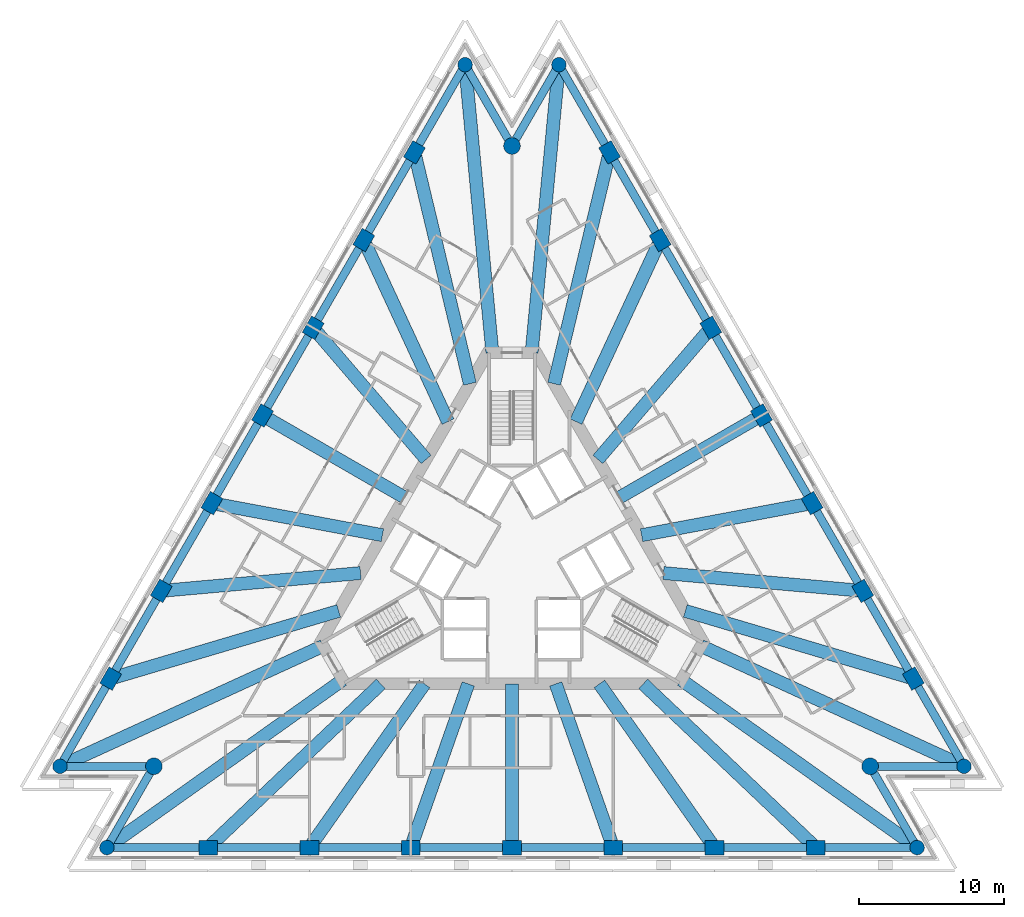
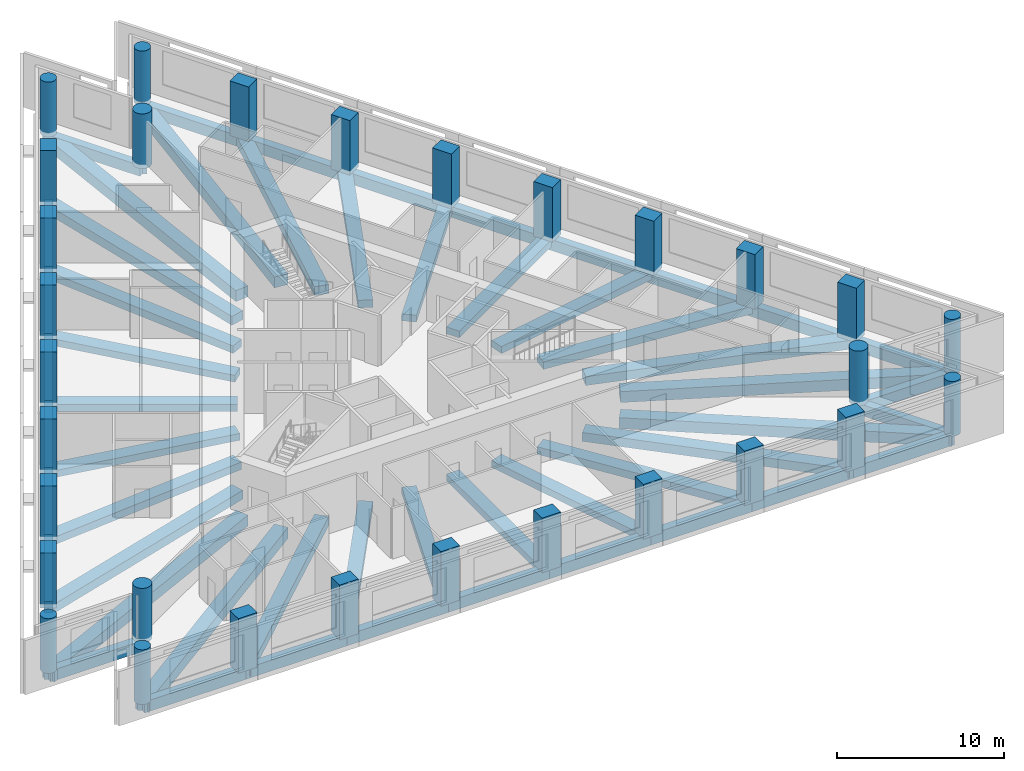
# One storey, part 1 of 10: 57 beams, 30 columns.
"""IFC4 building model written with IfcOpenShell, lengths in metres."""

from ifc_helpers import new_model, si_unit, direction, frame, origin, origin_2d, place, context, subcontext, project, spatial, rectangle, circle, extrude, material, material_profile, profile_set, type_object, element, save


model = new_model("IFC4")

# Units and contexts
model_context = context("Model", 3, precision=1e-05, world=origin(), true_north=direction((0.0, 1.0)))
body_context = subcontext(model_context, "Body", "Model", "MODEL_VIEW")
ifc_project = project(units=[si_unit("LENGTHUNIT", "METRE"), si_unit("AREAUNIT", "SQUARE_METRE"), si_unit("VOLUMEUNIT", "CUBIC_METRE"), si_unit("PLANEANGLEUNIT", "RADIAN"), si_unit("MASSUNIT", "GRAM", prefix="KILO")], contexts=[model_context])

# Site, building, storey
site_placement = place(None, origin())
site = spatial("IfcSite", under=ifc_project, at=site_placement, CompositionType="ELEMENT")
building_placement = place(site_placement, origin())
building = spatial("IfcBuilding", under=site, at=building_placement, Name="Triada Interchange Tower", CompositionType="ELEMENT")
storey_placement = place(building_placement, frame((0.0, 0.0, 112.300048828125)))
storey = spatial("IfcBuildingStorey", under=building, at=storey_placement, Name="L25", CompositionType="ELEMENT", Elevation=112.300048828125)

# Columns
ifc_material_1 = material(Name="Concrete C60/75", Category="concrete")
ifc_material_profile_1 = material_profile(ifc_material_1, rectangle(XDim=1.300048828125, YDim=1.0, at=origin_2d()), Name="RC 1300x1000")
ifc_profile_set_1 = profile_set([ifc_material_profile_1], Name="Concrete C60/75")
column_type_1 = type_object("IfcColumnType", Name="Column B face RC 1300x1000", PredefinedType="COLUMN", material=ifc_profile_set_1)
for number, where, z_axis, x_axis, name in (
    (1, (-6.74609375, 28.14892578125, -0.300048828125), (0.0, 0.0, 1.0), (0.5, 0.866025403784, 0.0), "Column CB02 L25"),
    (2, (-10.2470703125, 22.0859375, -0.300048828125), (0.0, 0.0, 1.0), (0.5, 0.866025403784, 0.0), "Column CB03 L25"),
    (3, (-13.748046875, 16.02197265625, -0.300048828125), (0.0, 0.0, 1.0), (0.5, 0.866025403784, 0.0), "Column CB04 L25"),
    (4, (-17.248046875, 9.9580078125, -0.300048828125), (0.0, 0.0, 1.0), (0.5, 0.866025403784, 0.0), "Column CB05 L25"),
    (5, (-20.7490234375, 3.89501953125, -0.300048828125), (0.0, 0.0, 1.0), (0.5, 0.866025403784, 0.0), "Column CB06 L25"),
    (6, (-24.25, -2.1689453125, -0.300048828125), (0.0, 0.0, 1.0), (0.5, 0.866025403784, 0.0), "Column CB07 L25"),
    (7, (-27.7509765625, -8.23193359375, -0.300048828125), (0.0, 0.0, 1.0), (0.5, 0.866025403784, 0.0), "Column CB08 L25"),
    (8, (-21.0048828125, -19.9169921875, -0.300048828125), (0.0, 0.0, 1.0), (1.0, 0.0, 0.0), "Column CB11 L25"),
    (9, (-14.00390625, -19.9169921875, -0.300048828125), (0.0, 0.0, 1.0), (1.0, 0.0, 0.0), "Column CB12 L25"),
    (10, (-7.001953125, -19.9169921875, -0.300048828125), (0.0, 0.0, 1.0), (1.0, 0.0, 0.0), "Column CB13 L25"),
    (11, (0.0, -19.9169921875, -0.300048828125), (0.0, 0.0, 1.0), (1.0, 0.0, 0.0), "Column CB14 L25"),
    (12, (7.001953125, -19.9169921875, -0.300048828125), (0.0, 0.0, 1.0), (1.0, 0.0, 0.0), "Column CB15 L25"),
    (13, (14.0029296875, -19.9169921875, -0.300048828125), (0.0, 0.0, 1.0), (1.0, 0.0, 0.0), "Column CB16 L25"),
    (14, (21.0048828125, -19.9169921875, -0.300048828125), (0.0, 0.0, 1.0), (1.0, 0.0, 0.0), "Column CB17 L25"),
    (15, (27.7509765625, -8.23193359375, -0.300048828125), (0.0, 0.0, 1.0), (-0.5, 0.866025403784, 0.0), "Column CB20 L25"),
    (16, (24.25, -2.1689453125, -0.300048828125), (0.0, 0.0, 1.0), (-0.5, 0.866025403784, 0.0), "Column CB21 L25"),
    (17, (20.7490234375, 3.89501953125, -0.300048828125), (0.0, 0.0, 1.0), (-0.5, 0.866025403784, 0.0), "Column CB22 L25"),
    (18, (17.248046875, 9.9580078125, -0.300048828125), (0.0, 0.0, 1.0), (-0.5, 0.866025403784, 0.0), "Column CB23 L25"),
    (19, (13.748046875, 16.02197265625, -0.300048828125), (0.0, 0.0, 1.0), (-0.5, 0.866025403784, 0.0), "Column CB24 L25"),
    (20, (10.2470703125, 22.0859375, -0.300048828125), (0.0, 0.0, 1.0), (-0.5, 0.866025403784, 0.0), "Column CB25 L25"),
    (21, (6.74609375, 28.14892578125, -0.300048828125), (0.0, 0.0, 1.0), (-0.5, 0.866025403784, 0.0), "Column CB26 L25"),
):
    element("IfcColumn", number, at=place(storey_placement, frame(where, z_axis=z_axis, x_axis=x_axis)), inside=storey, type_object=column_type_1, Name=name, PredefinedType="COLUMN", context=body_context, shape_type="SweptSolid", body=[
        extrude(rectangle(XDim=1.300048828125, YDim=1.0, at=origin_2d()), origin(), (0.0, 0.0, 1.0), 4.0),
    ])
ifc_material_profile_2 = material_profile(ifc_material_1, circle(Radius=0.5, at=origin_2d()), Name="RC D1000")
ifc_profile_set_2 = profile_set([ifc_material_profile_2], Name="Concrete C60/75")
column_type_2 = type_object("IfcColumnType", Name="End column B RC D1000", PredefinedType="COLUMN", material=ifc_profile_set_2)
for number, where, z_axis, x_axis, name in (
    (22, (-3.2451171875, 34.212890625, -0.300048828125), (0.0, 0.0, 1.0), (0.5, 0.866025403784, 0.0), "Column CB01 L25"),
    (23, (-31.251953125, -14.2958984375, -0.300048828125), (0.0, 0.0, 1.0), (0.5, 0.866025403784, 0.0), "Column CB09 L25"),
    (24, (-28.007080078125, -19.9169921875, -0.300048828125), (0.0, 0.0, 1.0), (1.0, 0.0, 0.0), "Column CB10 L25"),
    (25, (28.007080078125, -19.9169921875, -0.300048828125), (0.0, 0.0, 1.0), (1.0, 0.0, 0.0), "Column CB18 L25"),
    (26, (31.251953125, -14.2958984375, -0.300048828125), (0.0, 0.0, 1.0), (-0.5, 0.866025403784, 0.0), "Column CB19 L25"),
    (27, (3.2451171875, 34.212890625, -0.300048828125), (0.0, 0.0, 1.0), (-0.5, 0.866025403784, 0.0), "Column CB27 L25"),
):
    element("IfcColumn", number, at=place(storey_placement, frame(where, z_axis=z_axis, x_axis=x_axis)), inside=storey, type_object=column_type_2, Name=name, PredefinedType="COLUMN", context=body_context, shape_type="SweptSolid", body=[
        extrude(circle(Radius=0.5, at=origin_2d()), origin(), (0.0, 0.0, 1.0), 4.0),
    ])
ifc_material_profile_3 = material_profile(ifc_material_1, circle(Radius=0.574951171875, at=origin_2d()), Name="RC D1150")
ifc_profile_set_3 = profile_set([ifc_material_profile_3], Name="Concrete C60/75")
column_type_3 = type_object("IfcColumnType", Name="Mega column B RC D1150", PredefinedType="COLUMN", material=ifc_profile_set_3)
for number, where, z_axis, x_axis, name in (
    (28, (0.0, 28.593017578125, -0.300048828125), (0.0, 0.0, 1.0), (1.0, 0.0, 0.0), "Column MB1 L25"),
    (29, (-24.761962890625, -14.2958984375, -0.300048828125), (0.0, 0.0, 1.0), (1.0, 0.0, 0.0), "Column MB2 L25"),
    (30, (24.761962890625, -14.2958984375, -0.300048828125), (0.0, 0.0, 1.0), (1.0, 0.0, 0.0), "Column MB3 L25"),
):
    element("IfcColumn", number, at=place(storey_placement, frame(where, z_axis=z_axis, x_axis=x_axis)), inside=storey, type_object=column_type_3, Name=name, PredefinedType="COLUMN", context=body_context, shape_type="SweptSolid", body=[
        extrude(circle(Radius=0.574951171875, at=origin_2d()), origin(), (0.0, 0.0, 1.0), 4.0),
    ])

# Beams
ifc_material_2 = material(Name="Concrete C50/60", Category="concrete")
ifc_material_profile_4 = material_profile(ifc_material_2, rectangle(XDim=0.89990234375, YDim=0.5, at=origin_2d()), Name="RC 900x500")
ifc_profile_set_4 = profile_set([ifc_material_profile_4], Name="Concrete C50/60")
beam_type_1 = type_object("IfcBeamType", Name="Radial band beam B RC 900x500", PredefinedType="BEAM", material=ifc_profile_set_4)
beam_1_placement = place(storey_placement, frame((-13.748046875, 16.02197265625, -0.550048828125), z_axis=(0.651203572594, -0.758903094631, 0.0), x_axis=(0.758903094631, 0.651203572594, 0.0)))
element("IfcBeam", 31, at=beam_1_placement, inside=storey, type_object=beam_type_1, Name="Radial band beam BB04 L25", PredefinedType="BEAM", context=body_context, shape_type="SweptSolid", body=[
    extrude(rectangle(XDim=0.89990234375, YDim=0.5, at=origin_2d()), origin(), (0.0, 0.0, 1.0), 11.996337890625),
])
beam_2_placement = place(storey_placement, frame((-17.248046875, 9.9580078125, -0.550048828125), z_axis=(0.866029300872, -0.499993249986, 0.0), x_axis=(0.499993249986, 0.866029300872, 0.0)))
element("IfcBeam", 32, at=beam_2_placement, inside=storey, type_object=beam_type_1, Name="Radial band beam BB05 L25", PredefinedType="BEAM", context=body_context, shape_type="SweptSolid", body=[
    extrude(rectangle(XDim=0.89990234375, YDim=0.5, at=origin_2d()), origin(), (0.0, 0.0, 1.0), 11.316162109375),
])
beam_3_placement = place(storey_placement, frame((-20.7490234375, 3.89501953125, -0.550048828125), z_axis=(0.982834380844, -0.184490053474, 0.0), x_axis=(0.184490053474, 0.982834380844, 0.0)))
element("IfcBeam", 33, at=beam_3_placement, inside=storey, type_object=beam_type_1, Name="Radial band beam BB06 L25", PredefinedType="BEAM", context=body_context, shape_type="SweptSolid", body=[
    extrude(rectangle(XDim=0.89990234375, YDim=0.5, at=origin_2d()), origin(), (0.0, 0.0, 1.0), 11.995849609375),
])
beam_4_placement = place(storey_placement, frame((-7.001953125, -19.9169921875, -0.550048828125), z_axis=(0.331693580606, 0.943387178514, 0.0), x_axis=(-0.943387178514, 0.331693580606, 0.0)))
element("IfcBeam", 34, at=beam_4_placement, inside=storey, type_object=beam_type_1, Name="Radial band beam BB14 L25", PredefinedType="BEAM", context=body_context, shape_type="SweptSolid", body=[
    extrude(rectangle(XDim=0.89990234375, YDim=0.5, at=origin_2d()), origin(), (0.0, 0.0, 1.0), 11.99609375),
])
beam_5_placement = place(storey_placement, frame((0.0, -19.9169921875, -0.550048828125), z_axis=(0.0, 1.0, 0.0), x_axis=(-1.0, 0.0, 0.0)))
element("IfcBeam", 35, at=beam_5_placement, inside=storey, type_object=beam_type_1, Name="Radial band beam BB15 L25", PredefinedType="BEAM", context=body_context, shape_type="SweptSolid", body=[
    extrude(rectangle(XDim=0.89990234375, YDim=0.5, at=origin_2d()), origin(), (0.0, 0.0, 1.0), 11.31689453125),
])
beam_6_placement = place(storey_placement, frame((7.001953125, -19.9169921875, -0.550048828125), z_axis=(-0.331693580606, 0.943387178514, 0.0), x_axis=(-0.943387178514, -0.331693580606, 0.0)))
element("IfcBeam", 36, at=beam_6_placement, inside=storey, type_object=beam_type_1, Name="Radial band beam BB16 L25", PredefinedType="BEAM", context=body_context, shape_type="SweptSolid", body=[
    extrude(rectangle(XDim=0.89990234375, YDim=0.5, at=origin_2d()), origin(), (0.0, 0.0, 1.0), 11.99609375),
])
beam_7_placement = place(storey_placement, frame((20.7490234375, 3.89501953125, -0.550048828125), z_axis=(-0.982834380844, -0.184490053474, 0.0), x_axis=(0.184490053474, -0.982834380844, 0.0)))
element("IfcBeam", 37, at=beam_7_placement, inside=storey, type_object=beam_type_1, Name="Radial band beam BB24 L25", PredefinedType="BEAM", context=body_context, shape_type="SweptSolid", body=[
    extrude(rectangle(XDim=0.89990234375, YDim=0.5, at=origin_2d()), origin(), (0.0, 0.0, 1.0), 11.995849609375),
])
beam_8_placement = place(storey_placement, frame((17.248046875, 9.9580078125, -0.550048828125), z_axis=(-0.866029300872, -0.499993249986, 0.0), x_axis=(0.499993249986, -0.866029300872, 0.0)))
element("IfcBeam", 38, at=beam_8_placement, inside=storey, type_object=beam_type_1, Name="Radial band beam BB25 L25", PredefinedType="BEAM", context=body_context, shape_type="SweptSolid", body=[
    extrude(rectangle(XDim=0.89990234375, YDim=0.5, at=origin_2d()), origin(), (0.0, 0.0, 1.0), 11.316162109375),
])
beam_9_placement = place(storey_placement, frame((13.748046875, 16.02197265625, -0.550048828125), z_axis=(-0.651203572594, -0.758903094631, 0.0), x_axis=(0.758903094631, -0.651203572594, 0.0)))
element("IfcBeam", 39, at=beam_9_placement, inside=storey, type_object=beam_type_1, Name="Radial band beam BB26 L25", PredefinedType="BEAM", context=body_context, shape_type="SweptSolid", body=[
    extrude(rectangle(XDim=0.89990234375, YDim=0.5, at=origin_2d()), origin(), (0.0, 0.0, 1.0), 11.996337890625),
])
ifc_material_profile_5 = material_profile(ifc_material_2, rectangle(XDim=0.89990234375, YDim=0.550048828125, at=origin_2d()), Name="RC 900x550")
ifc_profile_set_5 = profile_set([ifc_material_profile_5], Name="Concrete C50/60")
beam_type_2 = type_object("IfcBeamType", Name="Radial band beam B RC 900x550", PredefinedType="BEAM", material=ifc_profile_set_5)
beam_10_placement = place(storey_placement, frame((-10.2470703125, 22.0859375, -0.574951171875), z_axis=(0.420884722934, -0.907114132842, 0.0), x_axis=(0.907114132842, 0.420884722934, 0.0)))
element("IfcBeam", 40, at=beam_10_placement, inside=storey, type_object=beam_type_2, Name="Radial band beam BB03 L25", PredefinedType="BEAM", context=body_context, shape_type="SweptSolid", body=[
    extrude(rectangle(XDim=0.89990234375, YDim=0.550048828125, at=origin_2d()), origin(), (0.0, 0.0, 1.0), 13.835205078125),
])
beam_11_placement = place(storey_placement, frame((-24.25, -2.1689453125, -0.574951171875), z_axis=(0.996027062584, 0.089051056146, 0.0), x_axis=(-0.089051056146, 0.996027062584, 0.0)))
element("IfcBeam", 41, at=beam_11_placement, inside=storey, type_object=beam_type_2, Name="Radial band beam BB07 L25", PredefinedType="BEAM", context=body_context, shape_type="SweptSolid", body=[
    extrude(rectangle(XDim=0.89990234375, YDim=0.550048828125, at=origin_2d()), origin(), (0.0, 0.0, 1.0), 13.833984375),
])
for number, where, z_axis, x_axis, name in (
    (42, (-14.00390625, -19.9169921875, -0.574951171875), (0.57515719257, 0.818042910754, 0.0), (-0.818042910754, 0.57515719257, 0.0), "Radial band beam BB13 L25"),
    (43, (14.0029296875, -19.9169921875, -0.574951171875), (-0.575169002149, 0.818034607438, 0.0), (-0.818034607438, -0.575169002149, 0.0), "Radial band beam BB17 L25"),
):
    element("IfcBeam", number, at=place(storey_placement, frame(where, z_axis=z_axis, x_axis=x_axis)), inside=storey, type_object=beam_type_2, Name=name, PredefinedType="BEAM", context=body_context, shape_type="SweptSolid", body=[
        extrude(rectangle(XDim=0.89990234375, YDim=0.550048828125, at=origin_2d()), origin(), (0.0, 0.0, 1.0), 13.834228515625),
    ])
beam_12_placement = place(storey_placement, frame((24.25, -2.1689453125, -0.574951171875), z_axis=(-0.996027062584, 0.089051056146, 0.0), x_axis=(-0.089051056146, -0.996027062584, 0.0)))
element("IfcBeam", 44, at=beam_12_placement, inside=storey, type_object=beam_type_2, Name="Radial band beam BB23 L25", PredefinedType="BEAM", context=body_context, shape_type="SweptSolid", body=[
    extrude(rectangle(XDim=0.89990234375, YDim=0.550048828125, at=origin_2d()), origin(), (0.0, 0.0, 1.0), 13.833984375),
])
beam_13_placement = place(storey_placement, frame((10.2470703125, 22.0859375, -0.574951171875), z_axis=(-0.420884722934, -0.907114132842, 0.0), x_axis=(0.907114132842, -0.420884722934, 0.0)))
element("IfcBeam", 45, at=beam_13_placement, inside=storey, type_object=beam_type_2, Name="Radial band beam BB27 L25", PredefinedType="BEAM", context=body_context, shape_type="SweptSolid", body=[
    extrude(rectangle(XDim=0.89990234375, YDim=0.550048828125, at=origin_2d()), origin(), (0.0, 0.0, 1.0), 13.835205078125),
])
ifc_material_profile_6 = material_profile(ifc_material_2, rectangle(XDim=0.89990234375, YDim=0.64990234375, at=origin_2d()), Name="RC 900x650")
ifc_profile_set_6 = profile_set([ifc_material_profile_6], Name="Concrete C50/60")
beam_type_3 = type_object("IfcBeamType", Name="Radial band beam B RC 900x650", PredefinedType="BEAM", material=ifc_profile_set_6)
beam_14_placement = place(storey_placement, frame((-6.74609375, 28.14892578125, -0.625), z_axis=(0.23304171282, -0.972466739835, 0.0), x_axis=(0.972466739835, 0.23304171282, 0.0)))
element("IfcBeam", 46, at=beam_14_placement, inside=storey, type_object=beam_type_3, Name="Radial band beam BB02 L25", PredefinedType="BEAM", context=body_context, shape_type="SweptSolid", body=[
    extrude(rectangle(XDim=0.89990234375, YDim=0.64990234375, at=origin_2d()), origin(), (0.0, 0.0, 1.0), 16.44775390625),
])
beam_15_placement = place(storey_placement, frame((-27.7509765625, -8.23193359375, -0.625), z_axis=(0.958704173735, 0.284405181498, 0.0), x_axis=(-0.284405181498, 0.958704173735, 0.0)))
element("IfcBeam", 47, at=beam_15_placement, inside=storey, type_object=beam_type_3, Name="Radial band beam BB08 L25", PredefinedType="BEAM", context=body_context, shape_type="SweptSolid", body=[
    extrude(rectangle(XDim=0.89990234375, YDim=0.64990234375, at=origin_2d()), origin(), (0.0, 0.0, 1.0), 16.4482421875),
])
for number, where, z_axis, x_axis, name in (
    (48, (-21.0048828125, -19.9169921875, -0.625), (0.725642124038, 0.688072312931, 0.0), (-0.688072312931, 0.725642124038, 0.0), "Radial band beam BB12 L25"),
    (49, (21.0048828125, -19.9169921875, -0.625), (-0.725642124038, 0.688072312931, 0.0), (-0.688072312931, -0.725642124038, 0.0), "Radial band beam BB18 L25"),
):
    element("IfcBeam", number, at=place(storey_placement, frame(where, z_axis=z_axis, x_axis=x_axis)), inside=storey, type_object=beam_type_3, Name=name, PredefinedType="BEAM", context=body_context, shape_type="SweptSolid", body=[
        extrude(rectangle(XDim=0.89990234375, YDim=0.64990234375, at=origin_2d()), origin(), (0.0, 0.0, 1.0), 16.447265625),
    ])
beam_16_placement = place(storey_placement, frame((27.7509765625, -8.23193359375, -0.625), z_axis=(-0.958704173735, 0.284405181498, 0.0), x_axis=(-0.284405181498, -0.958704173735, 0.0)))
element("IfcBeam", 50, at=beam_16_placement, inside=storey, type_object=beam_type_3, Name="Radial band beam BB22 L25", PredefinedType="BEAM", context=body_context, shape_type="SweptSolid", body=[
    extrude(rectangle(XDim=0.89990234375, YDim=0.64990234375, at=origin_2d()), origin(), (0.0, 0.0, 1.0), 16.4482421875),
])
beam_17_placement = place(storey_placement, frame((6.74609375, 28.14892578125, -0.625), z_axis=(-0.23304171282, -0.972466739835, 0.0), x_axis=(0.972466739835, -0.23304171282, 0.0)))
element("IfcBeam", 51, at=beam_17_placement, inside=storey, type_object=beam_type_3, Name="Radial band beam BB28 L25", PredefinedType="BEAM", context=body_context, shape_type="SweptSolid", body=[
    extrude(rectangle(XDim=0.89990234375, YDim=0.64990234375, at=origin_2d()), origin(), (0.0, 0.0, 1.0), 16.44775390625),
])
ifc_material_profile_7 = material_profile(ifc_material_2, rectangle(XDim=0.89990234375, YDim=0.800048828125, at=origin_2d()), Name="RC 900x800")
ifc_profile_set_7 = profile_set([ifc_material_profile_7], Name="Concrete C50/60")
beam_type_4 = type_object("IfcBeamType", Name="Radial band beam B RC 900x800", PredefinedType="BEAM", material=ifc_profile_set_7)
beam_18_placement = place(storey_placement, frame((-3.2451171875, 34.212890625, -0.699951171875), z_axis=(0.094447360119, -0.995529856994, 0.0), x_axis=(0.995529856994, 0.094447360119, 0.0)))
element("IfcBeam", 52, at=beam_18_placement, inside=storey, type_object=beam_type_4, Name="Radial band beam BB01 L25", PredefinedType="BEAM", context=body_context, shape_type="SweptSolid", body=[
    extrude(rectangle(XDim=0.89990234375, YDim=0.800048828125, at=origin_2d()), origin(), (0.0, 0.0, 1.0), 20.002197265625),
])
beam_19_placement = place(storey_placement, frame((-31.251953125, -14.2958984375, -0.699951171875), z_axis=(0.909372387987, 0.415983004421, 0.0), x_axis=(-0.415983004421, 0.909372387987, 0.0)))
element("IfcBeam", 53, at=beam_19_placement, inside=storey, type_object=beam_type_4, Name="Radial band beam BB09 L25", PredefinedType="BEAM", context=body_context, shape_type="SweptSolid", body=[
    extrude(rectangle(XDim=0.89990234375, YDim=0.800048828125, at=origin_2d()), origin(), (0.0, 0.0, 1.0), 20.002685546875),
])
for number, where, z_axis, x_axis, name in (
    (54, (-28.007080078125, -19.9169921875, -0.699951171875), (0.814950584843, 0.579530451541, 0.0), (-0.579530451541, 0.814950584843, 0.0), "Radial band beam BB11 L25"),
    (55, (28.007080078125, -19.9169921875, -0.699951171875), (-0.814950584843, 0.579530451541, 0.0), (-0.579530451541, -0.814950584843, 0.0), "Radial band beam BB19 L25"),
):
    element("IfcBeam", number, at=place(storey_placement, frame(where, z_axis=z_axis, x_axis=x_axis)), inside=storey, type_object=beam_type_4, Name=name, PredefinedType="BEAM", context=body_context, shape_type="SweptSolid", body=[
        extrude(rectangle(XDim=0.89990234375, YDim=0.800048828125, at=origin_2d()), origin(), (0.0, 0.0, 1.0), 20.00244140625),
    ])
beam_20_placement = place(storey_placement, frame((31.251953125, -14.2958984375, -0.699951171875), z_axis=(-0.909372387987, 0.415983004421, 0.0), x_axis=(-0.415983004421, -0.909372387987, 0.0)))
element("IfcBeam", 56, at=beam_20_placement, inside=storey, type_object=beam_type_4, Name="Radial band beam BB21 L25", PredefinedType="BEAM", context=body_context, shape_type="SweptSolid", body=[
    extrude(rectangle(XDim=0.89990234375, YDim=0.800048828125, at=origin_2d()), origin(), (0.0, 0.0, 1.0), 20.002685546875),
])
beam_21_placement = place(storey_placement, frame((3.2451171875, 34.212890625, -0.699951171875), z_axis=(-0.094447360119, -0.995529856994, 0.0), x_axis=(0.995529856994, -0.094447360119, 0.0)))
element("IfcBeam", 57, at=beam_21_placement, inside=storey, type_object=beam_type_4, Name="Radial band beam BB29 L25", PredefinedType="BEAM", context=body_context, shape_type="SweptSolid", body=[
    extrude(rectangle(XDim=0.89990234375, YDim=0.800048828125, at=origin_2d()), origin(), (0.0, 0.0, 1.0), 20.002197265625),
])
ifc_material_profile_8 = material_profile(ifc_material_2, rectangle(XDim=0.550048828125, YDim=0.800048828125, at=origin_2d()), Name="RC 550x800")
ifc_profile_set_8 = profile_set([ifc_material_profile_8], Name="Concrete C50/60")
beam_type_5 = type_object("IfcBeamType", Name="Spandrel beam B RC 550x800", PredefinedType="BEAM", material=ifc_profile_set_8)
beam_22_placement = place(storey_placement, frame((-3.2451171875, 34.212890625, -0.699951171875), z_axis=(-0.499994090379, -0.866028815679, 0.0), x_axis=(0.866028815679, -0.499994090379, 0.0)))
element("IfcBeam", 58, at=beam_22_placement, inside=storey, type_object=beam_type_5, Name="Spandrel beam EB01 L25", PredefinedType="BEAM", context=body_context, shape_type="SweptSolid", body=[
    extrude(rectangle(XDim=0.550048828125, YDim=0.800048828125, at=origin_2d()), origin(), (0.0, 0.0, 1.0), 7.001953125),
])
beam_23_placement = place(storey_placement, frame((-6.74609375, 28.14892578125, -0.699951171875), z_axis=(-0.500054487556, -0.865993943094, 0.0), x_axis=(0.865993943094, -0.500054487556, 0.0)))
element("IfcBeam", 59, at=beam_23_placement, inside=storey, type_object=beam_type_5, Name="Spandrel beam EB02 L25", PredefinedType="BEAM", context=body_context, shape_type="SweptSolid", body=[
    extrude(rectangle(XDim=0.550048828125, YDim=0.800048828125, at=origin_2d()), origin(), (0.0, 0.0, 1.0), 7.001220703125),
])
beam_24_placement = place(storey_placement, frame((-10.2470703125, 22.0859375, -0.699951171875), z_axis=(-0.499994090379, -0.866028815679, 0.0), x_axis=(0.866028815679, -0.499994090379, 0.0)))
element("IfcBeam", 60, at=beam_24_placement, inside=storey, type_object=beam_type_5, Name="Spandrel beam EB03 L25", PredefinedType="BEAM", context=body_context, shape_type="SweptSolid", body=[
    extrude(rectangle(XDim=0.550048828125, YDim=0.800048828125, at=origin_2d()), origin(), (0.0, 0.0, 1.0), 7.001953125),
])
beam_25_placement = place(storey_placement, frame((-13.748046875, 16.02197265625, -0.699951171875), z_axis=(-0.499889477339, -0.86608920467, 0.0), x_axis=(0.86608920467, -0.499889477339, 0.0)))
element("IfcBeam", 61, at=beam_25_placement, inside=storey, type_object=beam_type_5, Name="Spandrel beam EB04 L25", PredefinedType="BEAM", context=body_context, shape_type="SweptSolid", body=[
    extrude(rectangle(XDim=0.550048828125, YDim=0.800048828125, at=origin_2d()), origin(), (0.0, 0.0, 1.0), 7.00146484375),
])
beam_26_placement = place(storey_placement, frame((-17.248046875, 9.9580078125, -0.699951171875), z_axis=(-0.500054487556, -0.865993943094, 0.0), x_axis=(0.865993943094, -0.500054487556, 0.0)))
element("IfcBeam", 62, at=beam_26_placement, inside=storey, type_object=beam_type_5, Name="Spandrel beam EB05 L25", PredefinedType="BEAM", context=body_context, shape_type="SweptSolid", body=[
    extrude(rectangle(XDim=0.550048828125, YDim=0.800048828125, at=origin_2d()), origin(), (0.0, 0.0, 1.0), 7.001220703125),
])
beam_27_placement = place(storey_placement, frame((-20.7490234375, 3.89501953125, -0.699951171875), z_axis=(-0.499994090379, -0.866028815679, 0.0), x_axis=(0.866028815679, -0.499994090379, 0.0)))
element("IfcBeam", 63, at=beam_27_placement, inside=storey, type_object=beam_type_5, Name="Spandrel beam EB06 L25", PredefinedType="BEAM", context=body_context, shape_type="SweptSolid", body=[
    extrude(rectangle(XDim=0.550048828125, YDim=0.800048828125, at=origin_2d()), origin(), (0.0, 0.0, 1.0), 7.001953125),
])
beam_28_placement = place(storey_placement, frame((-24.25, -2.1689453125, -0.699951171875), z_axis=(-0.500054487556, -0.865993943094, 0.0), x_axis=(0.865993943094, -0.500054487556, 0.0)))
element("IfcBeam", 64, at=beam_28_placement, inside=storey, type_object=beam_type_5, Name="Spandrel beam EB07 L25", PredefinedType="BEAM", context=body_context, shape_type="SweptSolid", body=[
    extrude(rectangle(XDim=0.550048828125, YDim=0.800048828125, at=origin_2d()), origin(), (0.0, 0.0, 1.0), 7.001220703125),
])
beam_29_placement = place(storey_placement, frame((-27.7509765625, -8.23193359375, -0.699951171875), z_axis=(-0.499994090379, -0.866028815679, 0.0), x_axis=(0.866028815679, -0.499994090379, 0.0)))
element("IfcBeam", 65, at=beam_29_placement, inside=storey, type_object=beam_type_5, Name="Spandrel beam EB08 L25", PredefinedType="BEAM", context=body_context, shape_type="SweptSolid", body=[
    extrude(rectangle(XDim=0.550048828125, YDim=0.800048828125, at=origin_2d()), origin(), (0.0, 0.0, 1.0), 7.001953125),
])
beam_30_placement = place(storey_placement, frame((-31.251953125, -14.2958984375, -0.699951171875), z_axis=(1.0, 0.0, 0.0), x_axis=(0.0, 1.0, 0.0)))
element("IfcBeam", 66, at=beam_30_placement, inside=storey, type_object=beam_type_5, Name="Spandrel beam EB09 L25", PredefinedType="BEAM", context=body_context, shape_type="SweptSolid", body=[
    extrude(rectangle(XDim=0.550048828125, YDim=0.800048828125, at=origin_2d()), origin(), (0.0, 0.0, 1.0), 6.489990234375),
])
beam_31_placement = place(storey_placement, frame((-24.761962890625, -14.2958984375, -0.699951171875), z_axis=(-0.499974254476, -0.866040267459, 0.0), x_axis=(0.866040267459, -0.499974254476, 0.0)))
element("IfcBeam", 67, at=beam_31_placement, inside=storey, type_object=beam_type_5, Name="Spandrel beam EB10 L25", PredefinedType="BEAM", context=body_context, shape_type="SweptSolid", body=[
    extrude(rectangle(XDim=0.550048828125, YDim=0.800048828125, at=origin_2d()), origin(), (0.0, 0.0, 1.0), 6.490478515625),
])
beam_32_placement = place(storey_placement, frame((-28.007080078125, -19.9169921875, -0.699951171875), z_axis=(1.0, 0.0, 0.0), x_axis=(0.0, 1.0, 0.0)))
element("IfcBeam", 68, at=beam_32_placement, inside=storey, type_object=beam_type_5, Name="Spandrel beam EB11 L25", PredefinedType="BEAM", context=body_context, shape_type="SweptSolid", body=[
    extrude(rectangle(XDim=0.550048828125, YDim=0.800048828125, at=origin_2d()), origin(), (0.0, 0.0, 1.0), 7.002197265625),
])
beam_33_placement = place(storey_placement, frame((-21.0048828125, -19.9169921875, -0.699951171875), z_axis=(1.0, 0.0, 0.0), x_axis=(0.0, 1.0, 0.0)))
element("IfcBeam", 69, at=beam_33_placement, inside=storey, type_object=beam_type_5, Name="Spandrel beam EB12 L25", PredefinedType="BEAM", context=body_context, shape_type="SweptSolid", body=[
    extrude(rectangle(XDim=0.550048828125, YDim=0.800048828125, at=origin_2d()), origin(), (0.0, 0.0, 1.0), 7.0009765625),
])
for number, where, z_axis, x_axis, name in (
    (70, (-14.00390625, -19.9169921875, -0.699951171875), (1.0, 0.0, 0.0), (0.0, 1.0, 0.0), "Spandrel beam EB13 L25"),
    (71, (-7.001953125, -19.9169921875, -0.699951171875), (1.0, 0.0, 0.0), (0.0, 1.0, 0.0), "Spandrel beam EB14 L25"),
    (72, (0.0, -19.9169921875, -0.699951171875), (1.0, 0.0, 0.0), (0.0, 1.0, 0.0), "Spandrel beam EB15 L25"),
):
    element("IfcBeam", number, at=place(storey_placement, frame(where, z_axis=z_axis, x_axis=x_axis)), inside=storey, type_object=beam_type_5, Name=name, PredefinedType="BEAM", context=body_context, shape_type="SweptSolid", body=[
        extrude(rectangle(XDim=0.550048828125, YDim=0.800048828125, at=origin_2d()), origin(), (0.0, 0.0, 1.0), 7.001953125),
    ])
beam_34_placement = place(storey_placement, frame((7.001953125, -19.9169921875, -0.699951171875), z_axis=(1.0, 0.0, 0.0), x_axis=(0.0, 1.0, 0.0)))
element("IfcBeam", 73, at=beam_34_placement, inside=storey, type_object=beam_type_5, Name="Spandrel beam EB16 L25", PredefinedType="BEAM", context=body_context, shape_type="SweptSolid", body=[
    extrude(rectangle(XDim=0.550048828125, YDim=0.800048828125, at=origin_2d()), origin(), (0.0, 0.0, 1.0), 7.0009765625),
])
beam_35_placement = place(storey_placement, frame((14.0029296875, -19.9169921875, -0.699951171875), z_axis=(1.0, 0.0, 0.0), x_axis=(0.0, 1.0, 0.0)))
element("IfcBeam", 74, at=beam_35_placement, inside=storey, type_object=beam_type_5, Name="Spandrel beam EB17 L25", PredefinedType="BEAM", context=body_context, shape_type="SweptSolid", body=[
    extrude(rectangle(XDim=0.550048828125, YDim=0.800048828125, at=origin_2d()), origin(), (0.0, 0.0, 1.0), 7.001953125),
])
beam_36_placement = place(storey_placement, frame((21.0048828125, -19.9169921875, -0.699951171875), z_axis=(1.0, 0.0, 0.0), x_axis=(0.0, 1.0, 0.0)))
element("IfcBeam", 75, at=beam_36_placement, inside=storey, type_object=beam_type_5, Name="Spandrel beam EB18 L25", PredefinedType="BEAM", context=body_context, shape_type="SweptSolid", body=[
    extrude(rectangle(XDim=0.550048828125, YDim=0.800048828125, at=origin_2d()), origin(), (0.0, 0.0, 1.0), 7.002197265625),
])
beam_37_placement = place(storey_placement, frame((28.007080078125, -19.9169921875, -0.699951171875), z_axis=(-0.499974254476, 0.866040267459, 0.0), x_axis=(-0.866040267459, -0.499974254476, 0.0)))
element("IfcBeam", 76, at=beam_37_placement, inside=storey, type_object=beam_type_5, Name="Spandrel beam EB19 L25", PredefinedType="BEAM", context=body_context, shape_type="SweptSolid", body=[
    extrude(rectangle(XDim=0.550048828125, YDim=0.800048828125, at=origin_2d()), origin(), (0.0, 0.0, 1.0), 6.490478515625),
])
beam_38_placement = place(storey_placement, frame((24.761962890625, -14.2958984375, -0.699951171875), z_axis=(1.0, 0.0, 0.0), x_axis=(0.0, 1.0, 0.0)))
element("IfcBeam", 77, at=beam_38_placement, inside=storey, type_object=beam_type_5, Name="Spandrel beam EB20 L25", PredefinedType="BEAM", context=body_context, shape_type="SweptSolid", body=[
    extrude(rectangle(XDim=0.550048828125, YDim=0.800048828125, at=origin_2d()), origin(), (0.0, 0.0, 1.0), 6.489990234375),
])
beam_39_placement = place(storey_placement, frame((31.251953125, -14.2958984375, -0.699951171875), z_axis=(-0.499994090379, 0.866028815679, 0.0), x_axis=(-0.866028815679, -0.499994090379, 0.0)))
element("IfcBeam", 78, at=beam_39_placement, inside=storey, type_object=beam_type_5, Name="Spandrel beam EB21 L25", PredefinedType="BEAM", context=body_context, shape_type="SweptSolid", body=[
    extrude(rectangle(XDim=0.550048828125, YDim=0.800048828125, at=origin_2d()), origin(), (0.0, 0.0, 1.0), 7.001953125),
])
beam_40_placement = place(storey_placement, frame((27.7509765625, -8.23193359375, -0.699951171875), z_axis=(-0.500054487556, 0.865993943094, 0.0), x_axis=(-0.865993943094, -0.500054487556, 0.0)))
element("IfcBeam", 79, at=beam_40_placement, inside=storey, type_object=beam_type_5, Name="Spandrel beam EB22 L25", PredefinedType="BEAM", context=body_context, shape_type="SweptSolid", body=[
    extrude(rectangle(XDim=0.550048828125, YDim=0.800048828125, at=origin_2d()), origin(), (0.0, 0.0, 1.0), 7.001220703125),
])
beam_41_placement = place(storey_placement, frame((24.25, -2.1689453125, -0.699951171875), z_axis=(-0.499994090379, 0.866028815679, 0.0), x_axis=(-0.866028815679, -0.499994090379, 0.0)))
element("IfcBeam", 80, at=beam_41_placement, inside=storey, type_object=beam_type_5, Name="Spandrel beam EB23 L25", PredefinedType="BEAM", context=body_context, shape_type="SweptSolid", body=[
    extrude(rectangle(XDim=0.550048828125, YDim=0.800048828125, at=origin_2d()), origin(), (0.0, 0.0, 1.0), 7.001953125),
])
beam_42_placement = place(storey_placement, frame((20.7490234375, 3.89501953125, -0.699951171875), z_axis=(-0.500054487556, 0.865993943094, 0.0), x_axis=(-0.865993943094, -0.500054487556, 0.0)))
element("IfcBeam", 81, at=beam_42_placement, inside=storey, type_object=beam_type_5, Name="Spandrel beam EB24 L25", PredefinedType="BEAM", context=body_context, shape_type="SweptSolid", body=[
    extrude(rectangle(XDim=0.550048828125, YDim=0.800048828125, at=origin_2d()), origin(), (0.0, 0.0, 1.0), 7.001220703125),
])
beam_43_placement = place(storey_placement, frame((17.248046875, 9.9580078125, -0.699951171875), z_axis=(-0.499889477339, 0.86608920467, 0.0), x_axis=(-0.86608920467, -0.499889477339, 0.0)))
element("IfcBeam", 82, at=beam_43_placement, inside=storey, type_object=beam_type_5, Name="Spandrel beam EB25 L25", PredefinedType="BEAM", context=body_context, shape_type="SweptSolid", body=[
    extrude(rectangle(XDim=0.550048828125, YDim=0.800048828125, at=origin_2d()), origin(), (0.0, 0.0, 1.0), 7.00146484375),
])
beam_44_placement = place(storey_placement, frame((13.748046875, 16.02197265625, -0.699951171875), z_axis=(-0.499994090379, 0.866028815679, 0.0), x_axis=(-0.866028815679, -0.499994090379, 0.0)))
element("IfcBeam", 83, at=beam_44_placement, inside=storey, type_object=beam_type_5, Name="Spandrel beam EB26 L25", PredefinedType="BEAM", context=body_context, shape_type="SweptSolid", body=[
    extrude(rectangle(XDim=0.550048828125, YDim=0.800048828125, at=origin_2d()), origin(), (0.0, 0.0, 1.0), 7.001953125),
])
beam_45_placement = place(storey_placement, frame((10.2470703125, 22.0859375, -0.699951171875), z_axis=(-0.500054487556, 0.865993943094, 0.0), x_axis=(-0.865993943094, -0.500054487556, 0.0)))
element("IfcBeam", 84, at=beam_45_placement, inside=storey, type_object=beam_type_5, Name="Spandrel beam EB27 L25", PredefinedType="BEAM", context=body_context, shape_type="SweptSolid", body=[
    extrude(rectangle(XDim=0.550048828125, YDim=0.800048828125, at=origin_2d()), origin(), (0.0, 0.0, 1.0), 7.001220703125),
])
beam_46_placement = place(storey_placement, frame((6.74609375, 28.14892578125, -0.699951171875), z_axis=(-0.499994090379, 0.866028815679, 0.0), x_axis=(-0.866028815679, -0.499994090379, 0.0)))
element("IfcBeam", 85, at=beam_46_placement, inside=storey, type_object=beam_type_5, Name="Spandrel beam EB28 L25", PredefinedType="BEAM", context=body_context, shape_type="SweptSolid", body=[
    extrude(rectangle(XDim=0.550048828125, YDim=0.800048828125, at=origin_2d()), origin(), (0.0, 0.0, 1.0), 7.001953125),
])
for number, where, z_axis, x_axis, name in (
    (86, (3.2451171875, 34.212890625, -0.699951171875), (-0.500055700895, -0.865993242469, 0.0), (0.865993242469, -0.500055700895, 0.0), "Spandrel beam EB29 L25"),
    (87, (0.0, 28.593017578125, -0.699951171875), (-0.500055700895, 0.865993242469, 0.0), (-0.865993242469, -0.500055700895, 0.0), "Spandrel beam EB30 L25"),
):
    element("IfcBeam", number, at=place(storey_placement, frame(where, z_axis=z_axis, x_axis=x_axis)), inside=storey, type_object=beam_type_5, Name=name, PredefinedType="BEAM", context=body_context, shape_type="SweptSolid", body=[
        extrude(rectangle(XDim=0.550048828125, YDim=0.800048828125, at=origin_2d()), origin(), (0.0, 0.0, 1.0), 6.489501953125),
    ])

save(model, "model.ifc")
